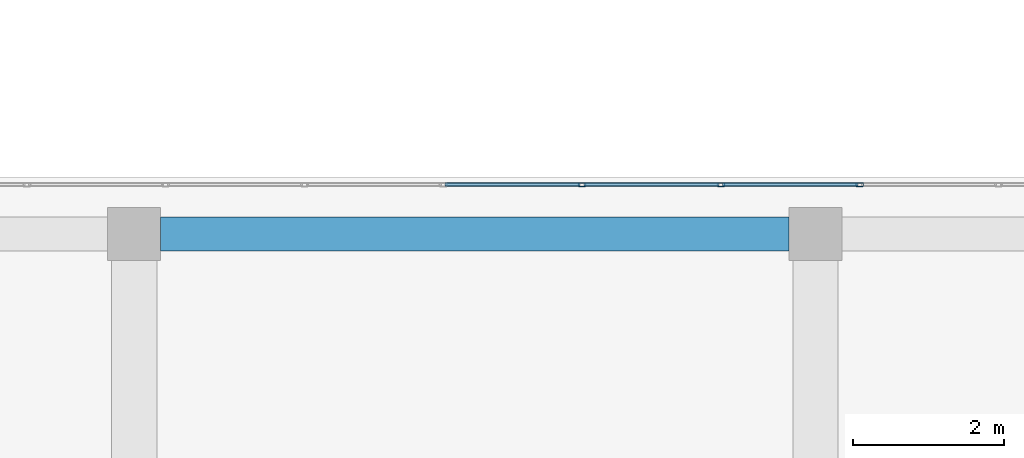
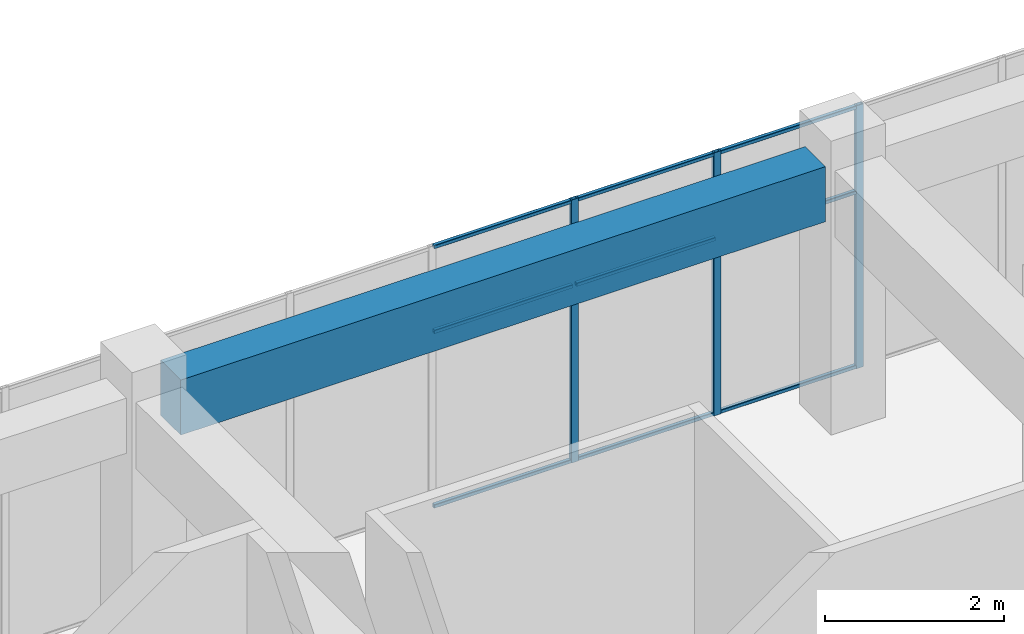
# One storey, part 23 of 32: 12 members, 1 beam, 1 element without a shape of its own.
"""IFC4 building model written with IfcOpenShell, lengths in metres."""

from ifc_helpers import new_model, si_unit, direction, frame, origin, origin_2d, place, context, subcontext, project, spatial, rectangle, hollow_rectangle, extrude, material, layer, layer_set, material_profile, profile_set, type_object, element, aggregate, save


model = new_model("IFC4")

# Units and contexts
model_context = context("Model", 3, precision=1e-05, world=origin(), true_north=direction((0.0, 1.0)))
body_context = subcontext(model_context, "Body", "Model", "MODEL_VIEW")
ifc_project = project(units=[si_unit("LENGTHUNIT", "METRE"), si_unit("AREAUNIT", "SQUARE_METRE"), si_unit("VOLUMEUNIT", "CUBIC_METRE"), si_unit("PLANEANGLEUNIT", "RADIAN"), si_unit("MASSUNIT", "GRAM", prefix="KILO")], contexts=[model_context])

# Site, building, storey
site_placement = place(None, origin())
site = spatial("IfcSite", under=ifc_project, at=site_placement, CompositionType="ELEMENT")
building_placement = place(site_placement, origin())
building = spatial("IfcBuilding", under=site, at=building_placement, Name="Tuart Plaza Theatre", CompositionType="ELEMENT")
storey_placement = place(building_placement, frame((0.0, 0.0, 37.5)))
storey = spatial("IfcBuildingStorey", under=building, at=storey_placement, Name="L09", CompositionType="ELEMENT", Elevation=37.5)

# Beam
ifc_material_1 = material(Name="Concrete N40 (40 MPa)", Category="concrete")
ifc_material_profile_1 = material_profile(ifc_material_1, rectangle(XDim=0.449951171875, YDim=0.75, at=origin_2d()), Name="BEAM 450x750 Concrete N40 (40 MPa)")
ifc_profile_set_1 = profile_set([ifc_material_profile_1], Name="Concrete N40 (40 MPa)")
beam_type = type_object("IfcBeamType", Name="BEAM 450x750 Concrete N40 (40 MPa)", PredefinedType="BEAM", material=ifc_profile_set_1)
beam_placement = place(storey_placement, frame((123.35009765625, 92.0, 3.205078125), z_axis=(1.0, 0.0, 0.0), x_axis=(0.0, 1.0, 0.0)))
element("IfcBeam", 1, at=beam_placement, inside=storey, type_object=beam_type, Name="RB267", PredefinedType="BEAM", context=body_context, shape_type="SweptSolid", body=[
    extrude(rectangle(XDim=0.449951171875, YDim=0.75, at=origin_2d()), origin(), (0.0, 0.0, 1.0), 8.2998046875),
])

# Curtain wall, members
ifc_material_2 = material(Name="Aluminium and glass", Category="aluminium")
ifc_layer = layer(ifc_material_2, 0.10009765625)
ifc_layer_set = layer_set([ifc_layer], Name="CURTAIN WALL 1800 module")
curtain_wall_type = type_object("IfcCurtainWallType", Name="CURTAIN WALL 1800 module", PredefinedType="NOTDEFINED", material=ifc_layer_set)
curtain_wall_placement = place(storey_placement, origin())
curtain_wall = element("IfcCurtainWall", 2, at=curtain_wall_placement, inside=storey, type_object=curtain_wall_type, Name="CW95", PredefinedType="NOTDEFINED")
ifc_material_3 = material(Name="Aluminium 6063-T5", Category="aluminium")
ifc_material_profile_2 = material_profile(ifc_material_3, hollow_rectangle(XDim=0.050048828125, YDim=0.10009765625, WallThickness=0.00390625, InnerFilletRadius=0.00390625, OuterFilletRadius=0.008056640625, at=origin_2d()), Name="RHS 100x50x4")
ifc_profile_set_2 = profile_set([ifc_material_profile_2], Name="Aluminium 6063-T5")
member_type_1 = type_object("IfcMemberType", Name="MULLION RHS 100x50x4", PredefinedType="MULLION", material=ifc_profile_set_2)
member_1_placement = place(storey_placement, frame((132.583251953125, 92.64990234375, 0.0), z_axis=(0.0, 0.0, 1.0), x_axis=(0.0, -1.0, 0.0)))
member_1 = element("IfcMember", 3, at=member_1_placement, type_object=member_type_1, Name="CW95 mullion 6", PredefinedType="MULLION", context=body_context, shape_type="SweptSolid", body=[
    extrude(hollow_rectangle(XDim=0.050048828125, YDim=0.10009765625, WallThickness=0.00390625, InnerFilletRadius=0.00390625, OuterFilletRadius=0.008056640625, at=origin_2d()), origin(), (0.0, 0.0, 1.0), 3.580078125),
])
member_2_placement = place(storey_placement, frame((130.75, 92.64990234375, 0.0), z_axis=(0.0, 0.0, 1.0), x_axis=(0.0, -1.0, 0.0)))
member_2 = element("IfcMember", 4, at=member_2_placement, type_object=member_type_1, Name="CW95 mullion 7", PredefinedType="MULLION", context=body_context, shape_type="SweptSolid", body=[
    extrude(hollow_rectangle(XDim=0.050048828125, YDim=0.10009765625, WallThickness=0.00390625, InnerFilletRadius=0.00390625, OuterFilletRadius=0.008056640625, at=origin_2d()), origin(), (0.0, 0.0, 1.0), 3.580078125),
])
member_3_placement = place(storey_placement, frame((128.916748046875, 92.64990234375, 0.0), z_axis=(0.0, 0.0, 1.0), x_axis=(0.0, -1.0, 0.0)))
member_3 = element("IfcMember", 5, at=member_3_placement, type_object=member_type_1, Name="CW95 mullion 8", PredefinedType="MULLION", context=body_context, shape_type="SweptSolid", body=[
    extrude(hollow_rectangle(XDim=0.050048828125, YDim=0.10009765625, WallThickness=0.00390625, InnerFilletRadius=0.00390625, OuterFilletRadius=0.008056640625, at=origin_2d()), origin(), (0.0, 0.0, 1.0), 3.580078125),
])
ifc_material_4 = material(Name="Aluminium 6063-T5", Category="aluminium")
ifc_material_profile_3 = material_profile(ifc_material_4, hollow_rectangle(XDim=0.050048828125, YDim=0.050048828125, WallThickness=0.00390625, InnerFilletRadius=0.00390625, OuterFilletRadius=0.008056640625, at=origin_2d()), Name="RHS 50x50x4")
ifc_profile_set_3 = profile_set([ifc_material_profile_3], Name="Aluminium 6063-T5")
member_type_2 = type_object("IfcMemberType", Name="TRANSOM RHS 50x50x4", PredefinedType="USERDEFINED", material=ifc_profile_set_3)
member_4_placement = place(storey_placement, frame((132.558349609375, 92.64990234375, 0.02490234375), z_axis=(-1.0, 0.0, 0.0), x_axis=(0.0, -1.0, 0.0)))
member_4 = element("IfcMember", 6, at=member_4_placement, type_object=member_type_2, Name="CW95 transom 6.1", ObjectType="TRANSOM", PredefinedType="USERDEFINED", context=body_context, shape_type="SweptSolid", body=[
    extrude(hollow_rectangle(XDim=0.050048828125, YDim=0.050048828125, WallThickness=0.00390625, InnerFilletRadius=0.00390625, OuterFilletRadius=0.008056640625, at=origin_2d()), origin(), (0.0, 0.0, 1.0), 1.783447265625),
])
member_5_placement = place(storey_placement, frame((132.558349609375, 92.64990234375, 2.39990234375), z_axis=(-1.0, 0.0, 0.0), x_axis=(0.0, -1.0, 0.0)))
member_5 = element("IfcMember", 7, at=member_5_placement, type_object=member_type_2, Name="CW95 transom 6.2", ObjectType="TRANSOM", PredefinedType="USERDEFINED", context=body_context, shape_type="SweptSolid", body=[
    extrude(hollow_rectangle(XDim=0.050048828125, YDim=0.050048828125, WallThickness=0.00390625, InnerFilletRadius=0.00390625, OuterFilletRadius=0.008056640625, at=origin_2d()), origin(), (0.0, 0.0, 1.0), 1.783447265625),
])
member_6_placement = place(storey_placement, frame((132.558349609375, 92.64990234375, 3.554931640625), z_axis=(-1.0, 0.0, 0.0), x_axis=(0.0, -1.0, 0.0)))
member_6 = element("IfcMember", 8, at=member_6_placement, type_object=member_type_2, Name="CW95 transom 6.3", ObjectType="TRANSOM", PredefinedType="USERDEFINED", context=body_context, shape_type="SweptSolid", body=[
    extrude(hollow_rectangle(XDim=0.050048828125, YDim=0.050048828125, WallThickness=0.00390625, InnerFilletRadius=0.00390625, OuterFilletRadius=0.008056640625, at=origin_2d()), origin(), (0.0, 0.0, 1.0), 1.783447265625),
])
member_7_placement = place(storey_placement, frame((130.72509765625, 92.64990234375, 0.02490234375), z_axis=(-1.0, 0.0, 0.0), x_axis=(0.0, -1.0, 0.0)))
member_7 = element("IfcMember", 9, at=member_7_placement, type_object=member_type_2, Name="CW95 transom 7.1", ObjectType="TRANSOM", PredefinedType="USERDEFINED", context=body_context, shape_type="SweptSolid", body=[
    extrude(hollow_rectangle(XDim=0.050048828125, YDim=0.050048828125, WallThickness=0.00390625, InnerFilletRadius=0.00390625, OuterFilletRadius=0.008056640625, at=origin_2d()), origin(), (0.0, 0.0, 1.0), 1.783447265625),
])
member_8_placement = place(storey_placement, frame((130.72509765625, 92.64990234375, 2.39990234375), z_axis=(-1.0, 0.0, 0.0), x_axis=(0.0, -1.0, 0.0)))
member_8 = element("IfcMember", 10, at=member_8_placement, type_object=member_type_2, Name="CW95 transom 7.2", ObjectType="TRANSOM", PredefinedType="USERDEFINED", context=body_context, shape_type="SweptSolid", body=[
    extrude(hollow_rectangle(XDim=0.050048828125, YDim=0.050048828125, WallThickness=0.00390625, InnerFilletRadius=0.00390625, OuterFilletRadius=0.008056640625, at=origin_2d()), origin(), (0.0, 0.0, 1.0), 1.783447265625),
])
member_9_placement = place(storey_placement, frame((130.72509765625, 92.64990234375, 3.554931640625), z_axis=(-1.0, 0.0, 0.0), x_axis=(0.0, -1.0, 0.0)))
member_9 = element("IfcMember", 11, at=member_9_placement, type_object=member_type_2, Name="CW95 transom 7.3", ObjectType="TRANSOM", PredefinedType="USERDEFINED", context=body_context, shape_type="SweptSolid", body=[
    extrude(hollow_rectangle(XDim=0.050048828125, YDim=0.050048828125, WallThickness=0.00390625, InnerFilletRadius=0.00390625, OuterFilletRadius=0.008056640625, at=origin_2d()), origin(), (0.0, 0.0, 1.0), 1.783447265625),
])
member_10_placement = place(storey_placement, frame((128.8916015625, 92.64990234375, 0.02490234375), z_axis=(-1.0, 0.0, 0.0), x_axis=(0.0, -1.0, 0.0)))
member_10 = element("IfcMember", 12, at=member_10_placement, type_object=member_type_2, Name="CW95 transom 8.1", ObjectType="TRANSOM", PredefinedType="USERDEFINED", context=body_context, shape_type="SweptSolid", body=[
    extrude(hollow_rectangle(XDim=0.050048828125, YDim=0.050048828125, WallThickness=0.00390625, InnerFilletRadius=0.00390625, OuterFilletRadius=0.008056640625, at=origin_2d()), origin(), (0.0, 0.0, 1.0), 1.783203125),
])
member_11_placement = place(storey_placement, frame((128.8916015625, 92.64990234375, 2.39990234375), z_axis=(-1.0, 0.0, 0.0), x_axis=(0.0, -1.0, 0.0)))
member_11 = element("IfcMember", 13, at=member_11_placement, type_object=member_type_2, Name="CW95 transom 8.2", ObjectType="TRANSOM", PredefinedType="USERDEFINED", context=body_context, shape_type="SweptSolid", body=[
    extrude(hollow_rectangle(XDim=0.050048828125, YDim=0.050048828125, WallThickness=0.00390625, InnerFilletRadius=0.00390625, OuterFilletRadius=0.008056640625, at=origin_2d()), origin(), (0.0, 0.0, 1.0), 1.783203125),
])
member_12_placement = place(storey_placement, frame((128.8916015625, 92.64990234375, 3.554931640625), z_axis=(-1.0, 0.0, 0.0), x_axis=(0.0, -1.0, 0.0)))
member_12 = element("IfcMember", 14, at=member_12_placement, type_object=member_type_2, Name="CW95 transom 8.3", ObjectType="TRANSOM", PredefinedType="USERDEFINED", context=body_context, shape_type="SweptSolid", body=[
    extrude(hollow_rectangle(XDim=0.050048828125, YDim=0.050048828125, WallThickness=0.00390625, InnerFilletRadius=0.00390625, OuterFilletRadius=0.008056640625, at=origin_2d()), origin(), (0.0, 0.0, 1.0), 1.783203125),
])
aggregate(curtain_wall, [member_1, member_2, member_3, member_4, member_5, member_6, member_7, member_8, member_9, member_10, member_11, member_12])

save(model, "model.ifc")
